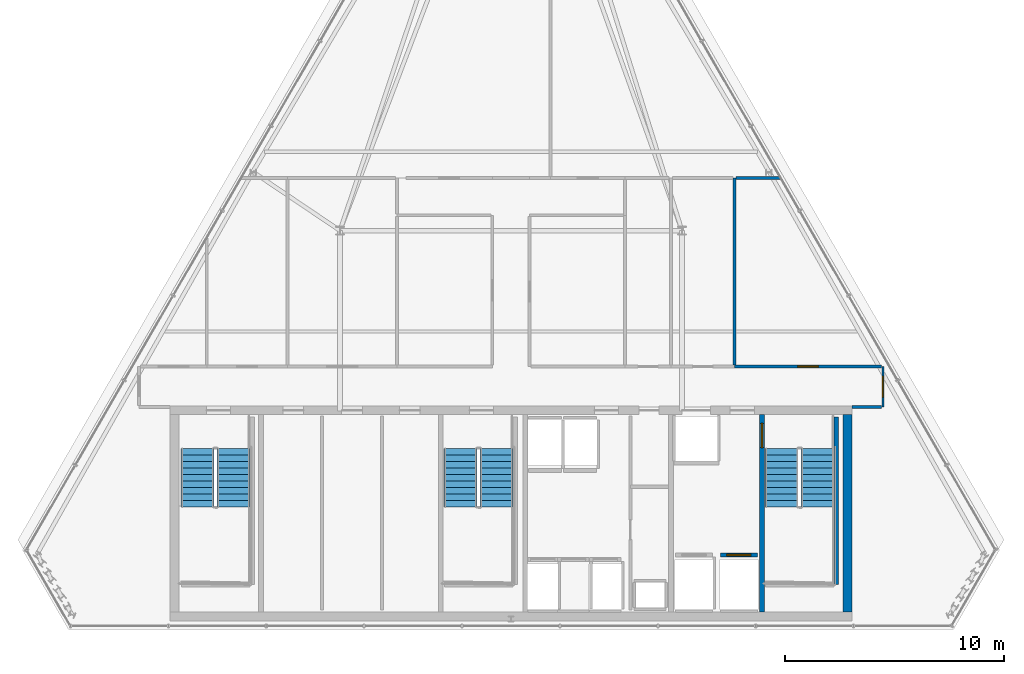
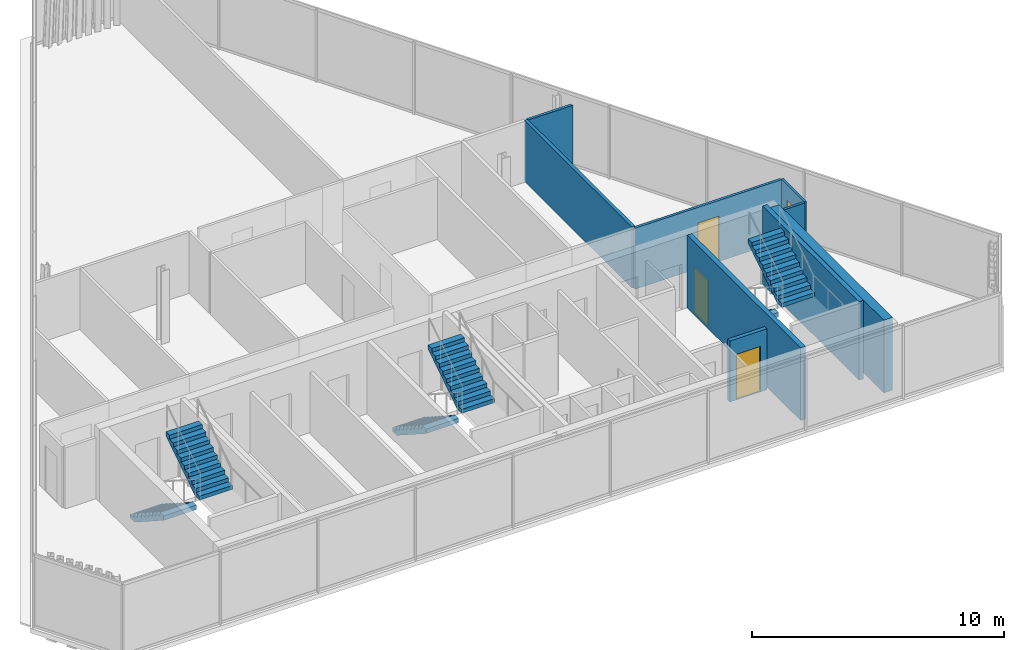
# One storey, part 29 of 32: 9 walls, 6 stair flights, 4 doors, 4 openings, 3 elements without a shape of their own.
"""IFC4 building model written with IfcOpenShell, lengths in metres."""

from ifc_helpers import new_model, si_unit, direction, frame, frame_2d, origin, place, context, subcontext, project, spatial, polyline, rectangle, outline, extrude, material, layer, layer_set, type_object, element, fill, aggregate, save


model = new_model("IFC4")

# Units and contexts
model_context = context("Model", 3, precision=1e-05, world=origin(), true_north=direction((0.0, 1.0)))
body_context = subcontext(model_context, "Body", "Model", "MODEL_VIEW")
ifc_project = project(units=[si_unit("LENGTHUNIT", "METRE"), si_unit("AREAUNIT", "SQUARE_METRE"), si_unit("VOLUMEUNIT", "CUBIC_METRE"), si_unit("PLANEANGLEUNIT", "RADIAN"), si_unit("MASSUNIT", "GRAM", prefix="KILO")], contexts=[model_context])

# Site, building, storey
site_placement = place(None, origin())
site = spatial("IfcSite", under=ifc_project, at=site_placement, CompositionType="ELEMENT")
building_placement = place(site_placement, origin())
building = spatial("IfcBuilding", under=site, at=building_placement, Name="Ndaravel Arena Tower", CompositionType="ELEMENT")
storey_placement = place(building_placement, frame((0.0, 0.0, 294.699951171875)))
storey = spatial("IfcBuildingStorey", under=building, at=storey_placement, Name="L72", CompositionType="ELEMENT", Elevation=294.699951171875)

# Wall, opening, door
ifc_material_1 = material(Name="Concrete C50/60", Category="concrete")
ifc_layer_1 = layer(ifc_material_1, 0.219970703125)
ifc_layer_set_1 = layer_set([ifc_layer_1], Name="Concrete C50/60")
wall_type_1 = type_object("IfcWallType", Name="WALL-CORE-220", PredefinedType="SOLIDWALL", material=ifc_layer_set_1)
wall_1_placement = place(storey_placement, frame((53.449951171875, 5.800048828125, 0.0), z_axis=(0.0, 0.0, 1.0), x_axis=(0.0, 1.0, 0.0)))
wall_1 = element("IfcWall", 1, at=wall_1_placement, inside=storey, type_object=wall_type_1, Name="L72 Core Web Shear Wall 5", PredefinedType="SOLIDWALL", context=body_context, shape_type="SweptSolid", body=[
    extrude(rectangle(XDim=9.0, YDim=0.219970703125, at=frame_2d((4.5, 0.0))), origin(), (0.0, 0.0, 1.0), 3.52001953125),
])
opening_1_placement = place(wall_1_placement, frame((7.5, 0.0, 0.0)))
opening_1 = element("IfcOpeningElement", 2, at=opening_1_placement, cuts=wall_1, Name="Opening FD-01", PredefinedType="OPENING", context=body_context, shape_type="SweptSolid", body=[
    extrude(rectangle(XDim=1.10009765625, YDim=2.199951171875, at=frame_2d((0.550048828125, 1.10009765625))), frame((0.0, 0.10986328125, 0.0), z_axis=(0.0, -1.0, 0.0), x_axis=(1.0, 0.0, 0.0)), (0.0, 0.0, 1.0), 0.219970703125),
])
ifc_material_2 = material(Name="Steel S355", Category="steel")
door_type_1 = type_object("IfcDoorType", Name="DT-01-STAIR-1100", OperationType="SINGLE_SWING_LEFT", PredefinedType="DOOR", material=ifc_material_2)
door_1_placement = place(opening_1_placement, origin())
door_1 = element("IfcDoor", 3, at=door_1_placement, inside=storey, type_object=door_type_1, Name="L72 Firefighting Lobby to ST-3 Door", OperationType="SINGLE_SWING_LEFT", OverallHeight=2.199951171875, OverallWidth=1.10009765625, PredefinedType="DOOR", context=body_context, shape_type="SweptSolid", body=[
    extrude(rectangle(XDim=1.10009765625, YDim=2.199951171875, at=frame_2d((0.550048828125, 1.10009765625))), frame((0.0, 0.02490234375, 0.0), z_axis=(0.0, -1.0, 0.0), x_axis=(1.0, 0.0, 0.0)), (0.0, 0.0, 1.0), 0.050048828125),
])
fill(opening_1, door_1)

# Wall
ifc_material_3 = material(Name="Concrete C50/60", Category="concrete")
ifc_layer_2 = layer(ifc_material_3, 0.39990234375)
ifc_layer_set_2 = layer_set([ifc_layer_2], Name="Concrete C50/60")
wall_type_2 = type_object("IfcWallType", Name="WALL-CORE-400", PredefinedType="SOLIDWALL", material=ifc_layer_set_2)
wall_2_placement = place(storey_placement, frame((57.35009765625, 5.800048828125, 0.0), z_axis=(0.0, 0.0, 1.0), x_axis=(0.0, 1.0, 0.0)))
element("IfcWall", 4, at=wall_2_placement, inside=storey, type_object=wall_type_2, Name="L72 Core East Shear Wall", PredefinedType="SOLIDWALL", context=body_context, shape_type="SweptSolid", body=[
    extrude(rectangle(XDim=9.0, YDim=0.39990234375, at=frame_2d((4.5, 0.0))), origin(), (0.0, 0.0, 1.0), 3.52001953125),
])

# Wall, opening, door
ifc_material_4 = material(Name="Timber", Category="wood")
ifc_layer_3 = layer(ifc_material_4, 0.10009765625)
ifc_layer_set_3 = layer_set([ifc_layer_3], Name="Timber")
wall_type_3 = type_object("IfcWallType", Name="WALL-MOVABLE-100", PredefinedType="MOVABLE", material=ifc_layer_set_3)
wall_3_placement = place(storey_placement, frame((58.965087890625, 17.0, 0.0), z_axis=(0.0, 0.0, 1.0), x_axis=(0.0, -1.0, 0.0)))
wall_3 = element("IfcWall", 5, at=wall_3_placement, inside=storey, type_object=wall_type_3, Name="L72 Interior Partition 001", PredefinedType="MOVABLE", context=body_context, shape_type="SweptSolid", body=[
    extrude(rectangle(XDim=1.85009765625, YDim=0.10009765625, at=frame_2d((0.925048828125, 0.0))), origin(), (0.0, 0.0, 1.0), 2.950439453125),
])
opening_2_placement = place(wall_3_placement, frame((0.449951171875, 0.0, 0.0)))
opening_2 = element("IfcOpeningElement", 6, at=opening_2_placement, cuts=wall_3, Name="Opening ID-01", PredefinedType="OPENING", context=body_context, shape_type="SweptSolid", body=[
    extrude(rectangle(XDim=0.949951171875, YDim=2.199951171875, at=frame_2d((0.47509765625, 1.10009765625))), frame((0.0, 0.050048828125, 0.0), z_axis=(0.0, -1.0, 0.0), x_axis=(1.0, 0.0, 0.0)), (0.0, 0.0, 1.0), 0.10009765625),
])
ifc_material_5 = material(Name="Timber", Category="wood")
door_type_2 = type_object("IfcDoorType", Name="DT-03-OFFICE-950", OperationType="SINGLE_SWING_LEFT", PredefinedType="DOOR", material=ifc_material_5)
door_2_placement = place(opening_2_placement, origin())
door_2 = element("IfcDoor", 7, at=door_2_placement, inside=storey, type_object=door_type_2, Name="L72 Visitor Reception Desk Door", OperationType="SINGLE_SWING_RIGHT", OverallHeight=2.199951171875, OverallWidth=0.949951171875, PredefinedType="DOOR", context=body_context, shape_type="SweptSolid", body=[
    extrude(rectangle(XDim=0.949951171875, YDim=2.199951171875, at=frame_2d((0.47509765625, 1.10009765625))), frame((0.0, 0.02490234375, 0.0), z_axis=(0.0, -1.0, 0.0), x_axis=(1.0, 0.0, 0.0)), (0.0, 0.0, 1.0), 0.050048828125),
])
fill(opening_2, door_2)

# Wall
ifc_material_6 = material(Name="Gypsum", Category="gypsum")
ifc_layer_4 = layer(ifc_material_6, 0.125)
ifc_layer_set_4 = layer_set([ifc_layer_4], Name="Gypsum")
wall_type_4 = type_object("IfcWallType", Name="WALL-PART-125", PredefinedType="PARTITIONING", material=ifc_layer_set_4)
wall_4_placement = place(storey_placement, frame((58.89990234375, 15.14990234375, 0.0), z_axis=(0.0, 0.0, 1.0), x_axis=(-1.0, 0.0, 0.0)))
element("IfcWall", 8, at=wall_4_placement, inside=storey, type_object=wall_type_4, Name="L72 Interior Partition 002", PredefinedType="PARTITIONING", context=body_context, shape_type="SweptSolid", body=[
    extrude(rectangle(XDim=1.349853515625, YDim=0.125, at=frame_2d((0.6748046875, 0.0))), origin(), (0.0, 0.0, 1.0), 2.950439453125),
])

# Wall, opening, door
wall_5_placement = place(storey_placement, frame((52.199951171875, 17.0, 0.0), z_axis=(0.0, 0.0, 1.0), x_axis=(1.0, 0.0, 0.0)))
wall_5 = element("IfcWall", 9, at=wall_5_placement, inside=storey, type_object=wall_type_4, Name="L72 Interior Partition 022", PredefinedType="PARTITIONING", context=body_context, shape_type="SweptSolid", body=[
    extrude(rectangle(XDim=6.699951171875, YDim=0.125, at=frame_2d((3.35009765625, 0.0))), origin(), (0.0, 0.0, 1.0), 2.950439453125),
])
opening_3_placement = place(wall_5_placement, frame((2.875, 0.0, 0.0)))
opening_3 = element("IfcOpeningElement", 10, at=opening_3_placement, cuts=wall_5, Name="Opening ID-01", PredefinedType="OPENING", context=body_context, shape_type="SweptSolid", body=[
    extrude(rectangle(XDim=0.949951171875, YDim=2.199951171875, at=frame_2d((0.47509765625, 1.10009765625))), frame((0.0, 0.0625, 0.0), z_axis=(0.0, -1.0, 0.0), x_axis=(1.0, 0.0, 0.0)), (0.0, 0.0, 1.0), 0.125),
])
door_3_placement = place(opening_3_placement, origin())
door_3 = element("IfcDoor", 11, at=door_3_placement, inside=storey, type_object=door_type_2, Name="L72 Media Cinema Room 3 Door", OperationType="SINGLE_SWING_RIGHT", OverallHeight=2.199951171875, OverallWidth=0.949951171875, PredefinedType="DOOR", context=body_context, shape_type="SweptSolid", body=[
    extrude(rectangle(XDim=0.949951171875, YDim=2.199951171875, at=frame_2d((0.47509765625, 1.10009765625))), frame((0.0, 0.02490234375, 0.0), z_axis=(0.0, -1.0, 0.0), x_axis=(1.0, 0.0, 0.0)), (0.0, 0.0, 1.0), 0.050048828125),
])
fill(opening_3, door_3)

# Walls
wall_6_placement = place(storey_placement, frame((52.264892578125, 25.60009765625, 0.0), z_axis=(0.0, 0.0, 1.0), x_axis=(1.0, 0.0, 0.0)))
element("IfcWall", 12, at=wall_6_placement, inside=storey, type_object=wall_type_4, Name="L72 Interior Partition 027", PredefinedType="PARTITIONING", context=body_context, shape_type="SweptSolid", body=[
    extrude(rectangle(XDim=2.044921875, YDim=0.125, at=frame_2d((1.0224609375, 0.0))), origin(), (0.0, 0.0, 1.0), 2.950439453125),
])
ifc_material_7 = material(Name="Concrete C40/50", Category="concrete")
ifc_layer_5 = layer(ifc_material_7, 0.199951171875)
ifc_layer_set_5 = layer_set([ifc_layer_5], Name="Concrete C40/50")
wall_type_5 = type_object("IfcWallType", Name="WALL-SHAFT-200", PredefinedType="SOLIDWALL", material=ifc_layer_set_5)
wall_7_placement = place(storey_placement, frame((56.840087890625, 14.699951171875, 0.0), z_axis=(0.0, 0.0, 1.0), x_axis=(0.0, -1.0, 0.0)))
element("IfcWall", 13, at=wall_7_placement, inside=storey, type_object=wall_type_5, Name="L72 ST-3 Structural Shaft Wall Right", PredefinedType="SOLIDWALL", context=body_context, shape_type="SweptSolid", body=[
    extrude(rectangle(XDim=7.64990234375, YDim=0.199951171875, at=frame_2d((3.824951171875, 0.0))), origin(), (0.0, 0.0, 1.0), 3.800048828125),
])

# Wall, opening, door
wall_8_placement = place(storey_placement, frame((51.554931640625, 8.39990234375, 0.0), z_axis=(0.0, 0.0, 1.0), x_axis=(1.0, 0.0, 0.0)))
wall_8 = element("IfcWall", 14, at=wall_8_placement, inside=storey, type_object=wall_type_5, Name="L72 FFL-2 Shaft Landing Wall", PredefinedType="SOLIDWALL", context=body_context, shape_type="SweptSolid", body=[
    extrude(rectangle(XDim=1.690185546875, YDim=0.179931640625, at=frame_2d((0.84521484375, 0.0))), origin(), (0.0, 0.0, 1.0), 2.950439453125),
])
opening_4_placement = place(wall_8_placement, frame((0.294921875, 0.0, 0.0)))
opening_4 = element("IfcOpeningElement", 15, at=opening_4_placement, cuts=wall_8, Name="Opening LD-01", PredefinedType="OPENING", context=body_context, shape_type="SweptSolid", body=[
    extrude(rectangle(XDim=1.10009765625, YDim=2.199951171875, at=frame_2d((0.550048828125, 1.10009765625))), frame((0.0, 0.08984375, 0.0), z_axis=(0.0, -1.0, 0.0), x_axis=(1.0, 0.0, 0.0)), (0.0, 0.0, 1.0), 0.179931640625),
])
ifc_material_8 = material(Name="Steel S355", Category="steel")
door_type_3 = type_object("IfcDoorType", Name="DT-06-LIFT-1100", OperationType="SLIDING_TO_LEFT", PredefinedType="DOOR", material=ifc_material_8)
door_4_placement = place(opening_4_placement, origin())
door_4 = element("IfcDoor", 16, at=door_4_placement, inside=storey, type_object=door_type_3, Name="L72 Lift FFL-2 Sliding Landing Door", OperationType="SLIDING_TO_LEFT", OverallHeight=2.199951171875, OverallWidth=1.10009765625, PredefinedType="DOOR", context=body_context, shape_type="SweptSolid", body=[
    extrude(rectangle(XDim=1.10009765625, YDim=2.199951171875, at=frame_2d((0.550048828125, 1.10009765625))), frame((0.0, 0.02490234375, 0.0), z_axis=(0.0, -1.0, 0.0), x_axis=(1.0, 0.0, 0.0)), (0.0, 0.0, 1.0), 0.050048828125),
])
fill(opening_4, door_4)

# Wall
ifc_material_9 = material(Name="Masonry", Category="masonry")
ifc_layer_6 = layer(ifc_material_9, 0.14990234375)
ifc_layer_set_6 = layer_set([ifc_layer_6], Name="Masonry")
wall_type_6 = type_object("IfcWallType", Name="WALL-WET-150", PredefinedType="PARTITIONING", material=ifc_layer_set_6)
wall_9_placement = place(storey_placement, frame((52.199951171875, 17.06494140625, 0.0), z_axis=(0.0, 0.0, 1.0), x_axis=(0.0, 1.0, 0.0)))
element("IfcWall", 17, at=wall_9_placement, inside=storey, type_object=wall_type_6, Name="L72 Interior Partition 026", PredefinedType="PARTITIONING", context=body_context, shape_type="SweptSolid", body=[
    extrude(rectangle(XDim=8.53515625, YDim=0.14990234375, at=frame_2d((4.267578125, 0.0))), origin(), (0.0, 0.0, 1.0), 2.950439453125),
])

# Stair, stair flights
ifc_material_10 = material(Name="Concrete C40/50", Category="concrete")
stair_type = type_object("IfcStairType", Name="STAIR-CORE-HT", PredefinedType="HALF_TURN_STAIR", material=ifc_material_10)
stair_1_placement = place(storey_placement, origin())
stair_1 = element("IfcStair", 18, at=stair_1_placement, inside=storey, type_object=stair_type, Name="L72 ST-1", PredefinedType="HALF_TURN_STAIR")
ifc_material_11 = material(Name="Concrete C40/50", Category="concrete")
stair_flight_type = type_object("IfcStairFlightType", Name="SFLIGHT-CORE-1680", PredefinedType="STRAIGHT", material=ifc_material_11)
stair_flight_1_placement = place(storey_placement, frame((27.699951171875, 13.25, 0.0), z_axis=(0.0, 0.0, 1.0), x_axis=(0.0, -1.0, 0.0)))
stair_flight_1 = element("IfcStairFlight", 19, at=stair_flight_1_placement, type_object=stair_flight_type, Name="ST-1 flight 1", NumberOfRisers=10, NumberOfTreads=9, PredefinedType="STRAIGHT", RiserHeight=0.19, TreadLength=0.295, context=body_context, shape_type="SweptSolid", body=[
    extrude(outline(polyline([(0.0, 0.0), (0.0, 0.18994140625), (0.294921875, 0.18994140625), (0.294921875, 0.3798828125), (0.590087890625, 0.3798828125), (0.590087890625, 0.570068359375), (0.885009765625, 0.570068359375), (0.885009765625, 0.760009765625), (1.179931640625, 0.760009765625), (1.179931640625, 0.949951171875), (1.47509765625, 0.949951171875), (1.47509765625, 1.139892578125), (1.77001953125, 1.139892578125), (1.77001953125, 1.330078125), (2.06494140625, 1.330078125), (2.06494140625, 1.52001953125), (2.360107421875, 1.52001953125), (2.360107421875, 1.7099609375), (2.655029296875, 1.7099609375), (2.655029296875, 1.89990234375), (2.655029296875, 1.49609375), (0.332275390625, 0.0), (0.0, 0.0)])), frame((0.0, 0.75, 0.0), z_axis=(0.0, -1.0, 0.0), x_axis=(1.0, 0.0, 0.0)), (0.0, 0.0, 1.0), 1.5),
])
stair_flight_2_placement = place(storey_placement, frame((29.340087890625, 10.594970703125, 1.900146484375), z_axis=(0.0, 0.0, 1.0), x_axis=(0.0, 1.0, 0.0)))
stair_flight_2 = element("IfcStairFlight", 20, at=stair_flight_2_placement, type_object=stair_flight_type, Name="ST-1 flight 2", NumberOfRisers=10, NumberOfTreads=9, PredefinedType="STRAIGHT", RiserHeight=0.19, TreadLength=0.295, context=body_context, shape_type="SweptSolid", body=[
    extrude(outline(polyline([(0.0, 0.0), (0.0, 0.18994140625), (0.294921875, 0.18994140625), (0.294921875, 0.3798828125), (0.590087890625, 0.3798828125), (0.590087890625, 0.570068359375), (0.885009765625, 0.570068359375), (0.885009765625, 0.760009765625), (1.179931640625, 0.760009765625), (1.179931640625, 0.949951171875), (1.47509765625, 0.949951171875), (1.47509765625, 1.139892578125), (1.77001953125, 1.139892578125), (1.77001953125, 1.330078125), (2.06494140625, 1.330078125), (2.06494140625, 1.52001953125), (2.360107421875, 1.52001953125), (2.360107421875, 1.7099609375), (2.655029296875, 1.7099609375), (2.655029296875, 1.89990234375), (2.655029296875, 1.49609375), (0.332275390625, 0.0), (0.0, 0.0)])), frame((0.0, 0.75, 0.0), z_axis=(0.0, -1.0, 0.0), x_axis=(1.0, 0.0, 0.0)), (0.0, 0.0, 1.0), 1.5),
])
aggregate(stair_1, [stair_flight_1, stair_flight_2])

stair_2_placement = place(storey_placement, origin())
stair_2 = element("IfcStair", 21, at=stair_2_placement, inside=storey, type_object=stair_type, Name="L72 ST-2", PredefinedType="HALF_TURN_STAIR")
stair_flight_3_placement = place(storey_placement, frame((39.699951171875, 13.25, 0.0), z_axis=(0.0, 0.0, 1.0), x_axis=(0.0, -1.0, 0.0)))
stair_flight_3 = element("IfcStairFlight", 22, at=stair_flight_3_placement, type_object=stair_flight_type, Name="ST-2 flight 1", NumberOfRisers=10, NumberOfTreads=9, PredefinedType="STRAIGHT", RiserHeight=0.19, TreadLength=0.295, context=body_context, shape_type="SweptSolid", body=[
    extrude(outline(polyline([(0.0, 0.0), (0.0, 0.18994140625), (0.294921875, 0.18994140625), (0.294921875, 0.3798828125), (0.590087890625, 0.3798828125), (0.590087890625, 0.570068359375), (0.885009765625, 0.570068359375), (0.885009765625, 0.760009765625), (1.179931640625, 0.760009765625), (1.179931640625, 0.949951171875), (1.47509765625, 0.949951171875), (1.47509765625, 1.139892578125), (1.77001953125, 1.139892578125), (1.77001953125, 1.330078125), (2.06494140625, 1.330078125), (2.06494140625, 1.52001953125), (2.360107421875, 1.52001953125), (2.360107421875, 1.7099609375), (2.655029296875, 1.7099609375), (2.655029296875, 1.89990234375), (2.655029296875, 1.49609375), (0.332275390625, 0.0), (0.0, 0.0)])), frame((0.0, 0.75, 0.0), z_axis=(0.0, -1.0, 0.0), x_axis=(1.0, 0.0, 0.0)), (0.0, 0.0, 1.0), 1.5),
])
stair_flight_4_placement = place(storey_placement, frame((41.340087890625, 10.594970703125, 1.900146484375), z_axis=(0.0, 0.0, 1.0), x_axis=(0.0, 1.0, 0.0)))
stair_flight_4 = element("IfcStairFlight", 23, at=stair_flight_4_placement, type_object=stair_flight_type, Name="ST-2 flight 2", NumberOfRisers=10, NumberOfTreads=9, PredefinedType="STRAIGHT", RiserHeight=0.19, TreadLength=0.295, context=body_context, shape_type="SweptSolid", body=[
    extrude(outline(polyline([(0.0, 0.0), (0.0, 0.18994140625), (0.294921875, 0.18994140625), (0.294921875, 0.3798828125), (0.590087890625, 0.3798828125), (0.590087890625, 0.570068359375), (0.885009765625, 0.570068359375), (0.885009765625, 0.760009765625), (1.179931640625, 0.760009765625), (1.179931640625, 0.949951171875), (1.47509765625, 0.949951171875), (1.47509765625, 1.139892578125), (1.77001953125, 1.139892578125), (1.77001953125, 1.330078125), (2.06494140625, 1.330078125), (2.06494140625, 1.52001953125), (2.360107421875, 1.52001953125), (2.360107421875, 1.7099609375), (2.655029296875, 1.7099609375), (2.655029296875, 1.89990234375), (2.655029296875, 1.49609375), (0.332275390625, 0.0), (0.0, 0.0)])), frame((0.0, 0.75, 0.0), z_axis=(0.0, -1.0, 0.0), x_axis=(1.0, 0.0, 0.0)), (0.0, 0.0, 1.0), 1.5),
])
aggregate(stair_2, [stair_flight_3, stair_flight_4])

stair_3_placement = place(storey_placement, origin())
stair_3 = element("IfcStair", 24, at=stair_3_placement, inside=storey, type_object=stair_type, Name="L72 ST-3", PredefinedType="HALF_TURN_STAIR")
stair_flight_5_placement = place(storey_placement, frame((54.35009765625, 13.25, 0.0), z_axis=(0.0, 0.0, 1.0), x_axis=(0.0, -1.0, 0.0)))
stair_flight_5 = element("IfcStairFlight", 25, at=stair_flight_5_placement, type_object=stair_flight_type, Name="ST-3 flight 1", NumberOfRisers=10, NumberOfTreads=9, PredefinedType="STRAIGHT", RiserHeight=0.19, TreadLength=0.295, context=body_context, shape_type="SweptSolid", body=[
    extrude(outline(polyline([(0.0, 0.0), (0.0, 0.18994140625), (0.294921875, 0.18994140625), (0.294921875, 0.3798828125), (0.590087890625, 0.3798828125), (0.590087890625, 0.570068359375), (0.885009765625, 0.570068359375), (0.885009765625, 0.760009765625), (1.179931640625, 0.760009765625), (1.179931640625, 0.949951171875), (1.47509765625, 0.949951171875), (1.47509765625, 1.139892578125), (1.77001953125, 1.139892578125), (1.77001953125, 1.330078125), (2.06494140625, 1.330078125), (2.06494140625, 1.52001953125), (2.360107421875, 1.52001953125), (2.360107421875, 1.7099609375), (2.655029296875, 1.7099609375), (2.655029296875, 1.89990234375), (2.655029296875, 1.49609375), (0.332275390625, 0.0), (0.0, 0.0)])), frame((0.0, 0.75, 0.0), z_axis=(0.0, -1.0, 0.0), x_axis=(1.0, 0.0, 0.0)), (0.0, 0.0, 1.0), 1.5),
])
stair_flight_6_placement = place(storey_placement, frame((55.989990234375, 10.594970703125, 1.900146484375), z_axis=(0.0, 0.0, 1.0), x_axis=(0.0, 1.0, 0.0)))
stair_flight_6 = element("IfcStairFlight", 26, at=stair_flight_6_placement, type_object=stair_flight_type, Name="ST-3 flight 2", NumberOfRisers=10, NumberOfTreads=9, PredefinedType="STRAIGHT", RiserHeight=0.19, TreadLength=0.295, context=body_context, shape_type="SweptSolid", body=[
    extrude(outline(polyline([(0.0, 0.0), (0.0, 0.18994140625), (0.294921875, 0.18994140625), (0.294921875, 0.3798828125), (0.590087890625, 0.3798828125), (0.590087890625, 0.570068359375), (0.885009765625, 0.570068359375), (0.885009765625, 0.760009765625), (1.179931640625, 0.760009765625), (1.179931640625, 0.949951171875), (1.47509765625, 0.949951171875), (1.47509765625, 1.139892578125), (1.77001953125, 1.139892578125), (1.77001953125, 1.330078125), (2.06494140625, 1.330078125), (2.06494140625, 1.52001953125), (2.360107421875, 1.52001953125), (2.360107421875, 1.7099609375), (2.655029296875, 1.7099609375), (2.655029296875, 1.89990234375), (2.655029296875, 1.49609375), (0.332275390625, 0.0), (0.0, 0.0)])), frame((0.0, 0.75, 0.0), z_axis=(0.0, -1.0, 0.0), x_axis=(1.0, 0.0, 0.0)), (0.0, 0.0, 1.0), 1.5),
])
aggregate(stair_3, [stair_flight_5, stair_flight_6])

save(model, "model.ifc")
